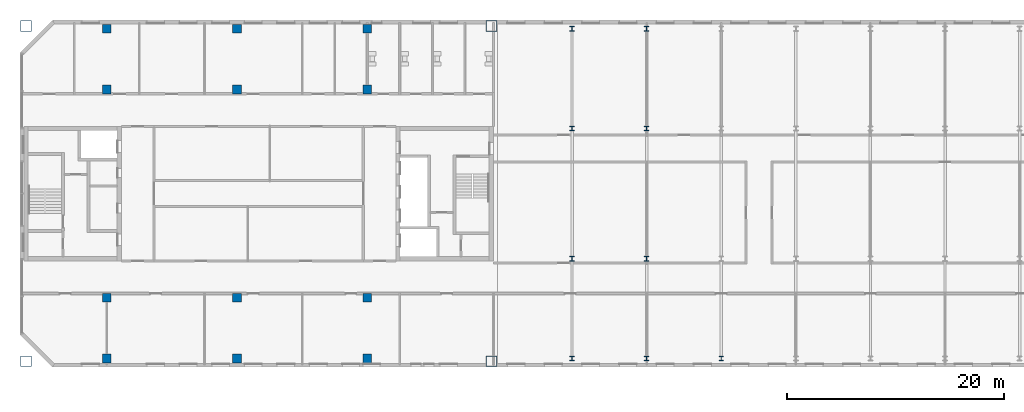
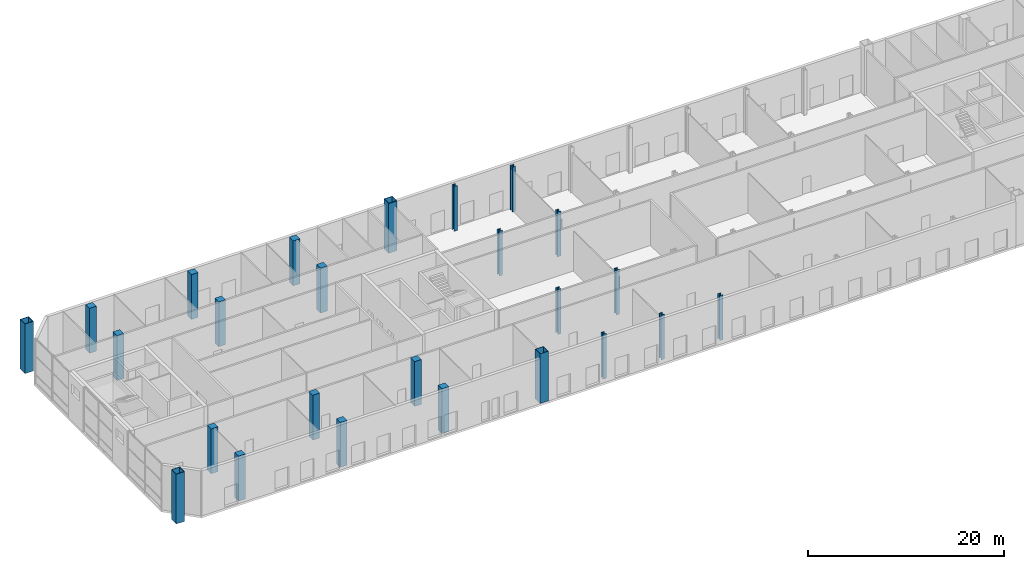
# One storey, part 1 of 20: 25 columns.
"""IFC4 building model written with IfcOpenShell, lengths in metres."""

from ifc_helpers import new_model, si_unit, direction, frame, origin, origin_2d, place, context, subcontext, project, spatial, rectangle, hollow_rectangle, i_section, extrude, material, material_profile, profile_set, type_object, element, save


model = new_model("IFC4")

# Units and contexts
model_context = context("Model", 3, precision=1e-05, world=origin(), true_north=direction((0.0, 1.0)))
body_context = subcontext(model_context, "Body", "Model", "MODEL_VIEW")
ifc_project = project(units=[si_unit("LENGTHUNIT", "METRE"), si_unit("AREAUNIT", "SQUARE_METRE"), si_unit("VOLUMEUNIT", "CUBIC_METRE"), si_unit("PLANEANGLEUNIT", "RADIAN"), si_unit("MASSUNIT", "GRAM", prefix="KILO")], contexts=[model_context])

# Site, building, storey
site_placement = place(None, origin())
site = spatial("IfcSite", under=ifc_project, at=site_placement, CompositionType="ELEMENT")
building_placement = place(site_placement, origin())
building = spatial("IfcBuilding", under=site, at=building_placement, Name="Tuart Gate Housing", CompositionType="ELEMENT")
storey_placement = place(building_placement, frame((0.0, 0.0, 215.199951171875)))
storey = spatial("IfcBuildingStorey", under=building, at=storey_placement, Name="L61", CompositionType="ELEMENT", Elevation=215.199951171875)

# Columns
ifc_material_1 = material(Name="Steel Grade 350", Category="steel")
ifc_material_profile_1 = material_profile(ifc_material_1, i_section(OverallWidth=0.39990234375, OverallDepth=0.429931640625, WebThickness=0.0400390625, FlangeThickness=0.0400390625, at=origin_2d()), Name="400WC361")
ifc_profile_set_1 = profile_set([ifc_material_profile_1], Name="Steel Grade 350")
column_type_1 = type_object("IfcColumnType", Name="Link column 400 WC361", PredefinedType="COLUMN", material=ifc_profile_set_1)
for number, where, z_axis, x_axis, name in (
    (1, (82.875, 54.800048828125, 0.0), (0.0, 0.0, 1.0), (1.0, 0.0, 0.0), "Link column line 1 point 1 L61"),
    (2, (89.75, 54.800048828125, 0.0), (0.0, 0.0, 1.0), (1.0, 0.0, 0.0), "Link column line 1 point 2 L61"),
    (3, (96.625, 54.800048828125, 0.0), (0.0, 0.0, 1.0), (1.0, 0.0, 0.0), "Link column line 1 point 3 L61"),
    (4, (82.875, 64.0, 0.0), (0.0, 0.0, 1.0), (1.0, 0.0, 0.0), "Link column line 2 point 1 L61"),
    (5, (89.75, 64.0, 0.0), (0.0, 0.0, 1.0), (1.0, 0.0, 0.0), "Link column line 2 point 2 L61"),
    (6, (82.875, 76.0, 0.0), (0.0, 0.0, 1.0), (1.0, 0.0, 0.0), "Link column line 3 point 1 L61"),
    (7, (89.75, 76.0, 0.0), (0.0, 0.0, 1.0), (1.0, 0.0, 0.0), "Link column line 3 point 2 L61"),
    (8, (82.875, 85.199951171875, 0.0), (0.0, 0.0, 1.0), (1.0, 0.0, 0.0), "Link column line 4 point 1 L61"),
    (9, (89.75, 85.199951171875, 0.0), (0.0, 0.0, 1.0), (1.0, 0.0, 0.0), "Link column line 4 point 2 L61"),
):
    element("IfcColumn", number, at=place(storey_placement, frame(where, z_axis=z_axis, x_axis=x_axis)), inside=storey, type_object=column_type_1, Name=name, PredefinedType="COLUMN", context=body_context, shape_type="SweptSolid", body=[
        extrude(i_section(OverallWidth=0.39990234375, OverallDepth=0.429931640625, WebThickness=0.0400390625, FlangeThickness=0.0400390625, at=origin_2d()), origin(), (0.0, 0.0, 1.0), 5.60009765625),
    ])
ifc_material_2 = material(Name="Steel Grade 350", Category="steel")
ifc_material_profile_2 = material_profile(ifc_material_2, hollow_rectangle(XDim=1.0, YDim=1.0, WallThickness=0.054931640625, at=origin_2d()), Name="BOX 1000x1000x55")
ifc_profile_set_2 = profile_set([ifc_material_profile_2], Name="Steel Grade 350")
column_type_2 = type_object("IfcColumnType", Name="Mega column BOX 1000x1000x55 (6.2-7.0 m)", PredefinedType="COLUMN", material=ifc_profile_set_2)
for number, where, z_axis, x_axis, name in (
    (10, (32.550048828125, 54.550048828125, 0.0), (0.0, 0.0, 1.0), (1.0, 0.0, 0.0), "Mega column A south-west L61"),
    (11, (75.449951171875, 54.550048828125, 0.0), (0.0, 0.0, 1.0), (1.0, 0.0, 0.0), "Mega column A south-east L61"),
    (12, (75.449951171875, 85.449951171875, 0.0), (0.0, 0.0, 1.0), (1.0, 0.0, 0.0), "Mega column A north-east L61"),
    (13, (32.550048828125, 85.449951171875, 0.0), (0.0, 0.0, 1.0), (1.0, 0.0, 0.0), "Mega column A north-west L61"),
):
    element("IfcColumn", number, at=place(storey_placement, frame(where, z_axis=z_axis, x_axis=x_axis)), inside=storey, type_object=column_type_2, Name=name, PredefinedType="COLUMN", context=body_context, shape_type="SweptSolid", body=[
        extrude(hollow_rectangle(XDim=1.0, YDim=1.0, WallThickness=0.054931640625, at=origin_2d()), origin(), (0.0, 0.0, 1.0), 6.199951171875),
    ])
ifc_material_3 = material(Name="Concrete C50", Category="concrete")
ifc_material_profile_3 = material_profile(ifc_material_3, rectangle(XDim=0.800048828125, YDim=0.800048828125, at=origin_2d()), Name="RC column 800 x 800 (5.6-6.7 m)")
ifc_profile_set_3 = profile_set([ifc_material_profile_3], Name="Concrete C50")
column_type_3 = type_object("IfcColumnType", Name="RC column 800 x 800 (5.6-6.7 m)", PredefinedType="COLUMN", material=ifc_profile_set_3)
for number, where, z_axis, x_axis, name in (
    (14, (40.0, 54.800048828125, 0.0), (0.0, 0.0, 1.0), (1.0, 0.0, 0.0), "RC column 9 L61"),
    (15, (40.0, 60.39990234375, 0.0), (0.0, 0.0, 1.0), (1.0, 0.0, 0.0), "RC column 12 L61"),
    (16, (40.0, 79.60009765625, 0.0), (0.0, 0.0, 1.0), (1.0, 0.0, 0.0), "RC column 13 L61"),
    (17, (40.0, 85.199951171875, 0.0), (0.0, 0.0, 1.0), (1.0, 0.0, 0.0), "RC column 16 L61"),
    (18, (52.0, 54.800048828125, 0.0), (0.0, 0.0, 1.0), (1.0, 0.0, 0.0), "RC column 17 L61"),
    (19, (52.0, 60.39990234375, 0.0), (0.0, 0.0, 1.0), (1.0, 0.0, 0.0), "RC column 18 L61"),
    (20, (52.0, 79.60009765625, 0.0), (0.0, 0.0, 1.0), (1.0, 0.0, 0.0), "RC column 19 L61"),
    (21, (52.0, 85.199951171875, 0.0), (0.0, 0.0, 1.0), (1.0, 0.0, 0.0), "RC column 20 L61"),
    (22, (64.0, 54.800048828125, 0.0), (0.0, 0.0, 1.0), (1.0, 0.0, 0.0), "RC column 21 L61"),
    (23, (64.0, 60.39990234375, 0.0), (0.0, 0.0, 1.0), (1.0, 0.0, 0.0), "RC column 22 L61"),
    (24, (64.0, 79.60009765625, 0.0), (0.0, 0.0, 1.0), (1.0, 0.0, 0.0), "RC column 23 L61"),
    (25, (64.0, 85.199951171875, 0.0), (0.0, 0.0, 1.0), (1.0, 0.0, 0.0), "RC column 24 L61"),
):
    element("IfcColumn", number, at=place(storey_placement, frame(where, z_axis=z_axis, x_axis=x_axis)), inside=storey, type_object=column_type_3, Name=name, PredefinedType="COLUMN", context=body_context, shape_type="SweptSolid", body=[
        extrude(rectangle(XDim=0.800048828125, YDim=0.800048828125, at=origin_2d()), origin(), (0.0, 0.0, 1.0), 5.60009765625),
    ])

save(model, "model.ifc")
